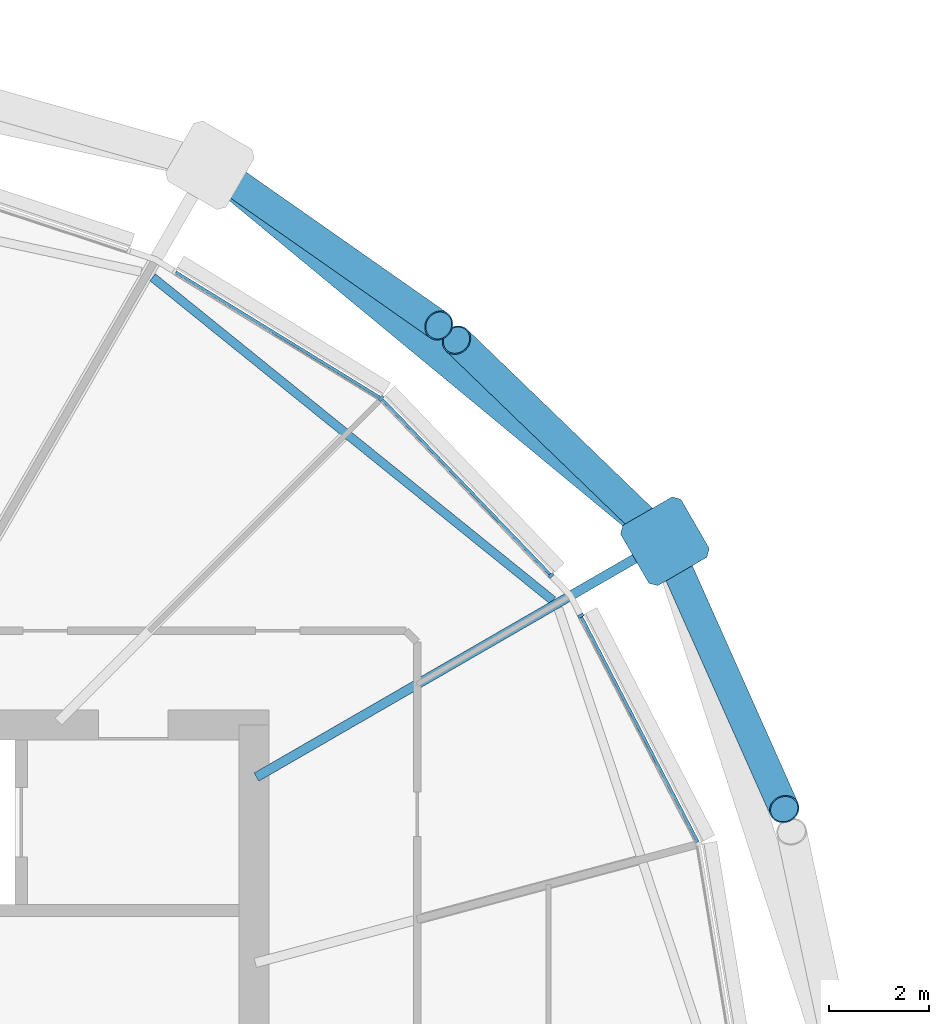
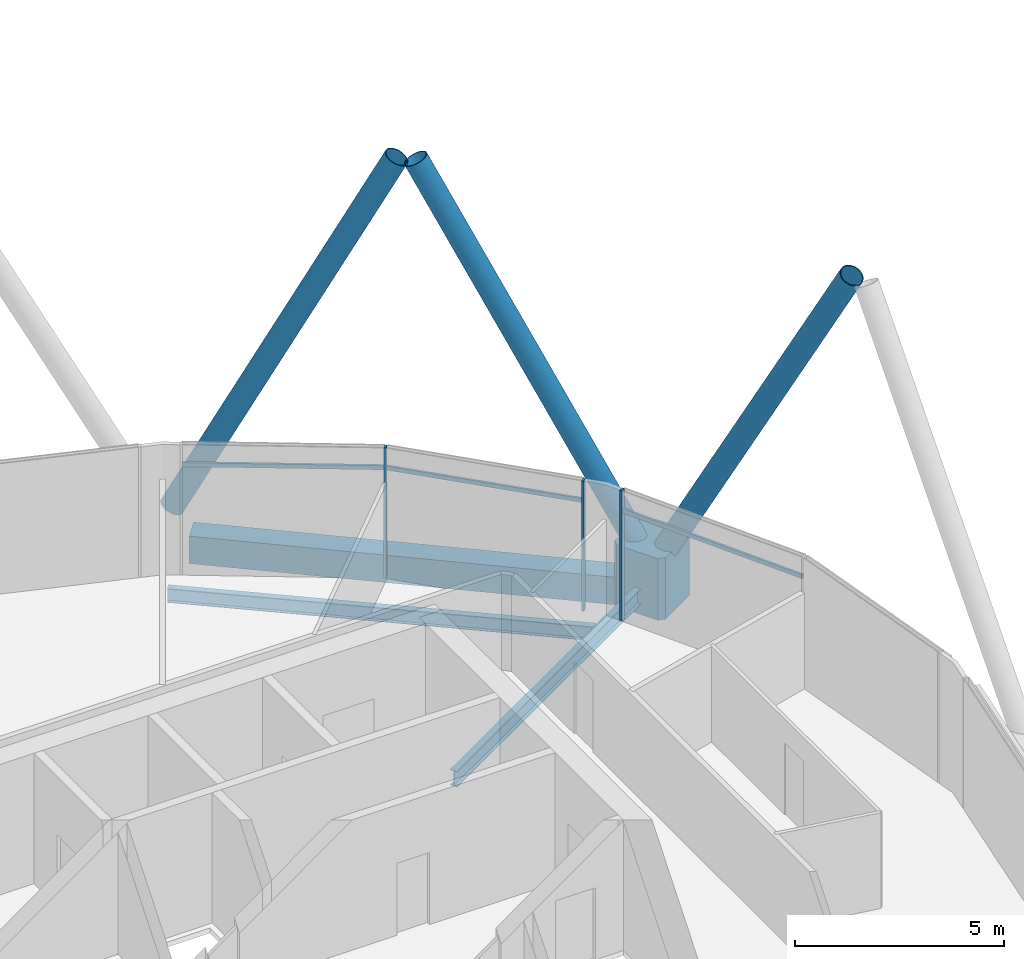
# One storey, part 12 of 35: 10 members, 3 beams, 1 element without a shape of its own.
"""IFC4 building model written with IfcOpenShell, lengths in metres."""

from ifc_helpers import new_model, si_unit, direction, frame, origin, origin_2d, place, context, subcontext, project, spatial, polyline, rectangle, hollow_rectangle, hollow_circle, i_section, outline, extrude, material, material_profile, profile_set, type_object, element, aggregate, save


model = new_model("IFC4")

# Units and contexts
model_context = context("Model", 3, precision=1e-05, world=origin(), true_north=direction((0.0, 1.0)))
body_context = subcontext(model_context, "Body", "Model", "MODEL_VIEW")
ifc_project = project(units=[si_unit("LENGTHUNIT", "METRE"), si_unit("AREAUNIT", "SQUARE_METRE"), si_unit("VOLUMEUNIT", "CUBIC_METRE"), si_unit("PLANEANGLEUNIT", "RADIAN"), si_unit("MASSUNIT", "GRAM", prefix="KILO")], contexts=[model_context])

# Site, building, storey
site_placement = place(None, origin())
site = spatial("IfcSite", under=ifc_project, at=site_placement, CompositionType="ELEMENT")
building_placement = place(site_placement, origin())
building = spatial("IfcBuilding", under=site, at=building_placement, Name="Rimbun Link Towers", CompositionType="ELEMENT")
storey_placement = place(building_placement, frame((0.0, 0.0, 181.699951171875)))
storey = spatial("IfcBuildingStorey", under=building, at=storey_placement, Name="L44", CompositionType="ELEMENT", Elevation=181.699951171875)

# Curtain wall, members
ifc_material_1 = material(Name="Aluminium 6063-T6 and low-iron glass", Category="aluminium")
curtain_wall_type = type_object("IfcCurtainWallType", Name="CW1-Z3 unitised vision wall (zone 3)", PredefinedType="NOTDEFINED", material=ifc_material_1)
curtain_wall_placement = place(storey_placement, origin())
curtain_wall = element("IfcCurtainWall", 1, at=curtain_wall_placement, inside=storey, type_object=curtain_wall_type, Name="CW1 L44 T1", PredefinedType="NOTDEFINED")
ifc_material_2 = material(Name="Aluminium 6063-T6", Category="aluminium")
ifc_material_profile_1 = material_profile(ifc_material_2, rectangle(XDim=0.1201171875, YDim=0.06005859375, at=origin_2d()), Name="MULLION 60X120")
ifc_profile_set_1 = profile_set([ifc_material_profile_1], Name="Aluminium 6063-T6")
member_type_1 = type_object("IfcMemberType", Name="CW1 mullion 60X120", PredefinedType="MULLION", material=ifc_profile_set_1)
member_1_placement = place(storey_placement, frame((-13.182861328125, 10.197509765625, 0.0), z_axis=(0.0, 0.0, 1.0), x_axis=(0.88814980284, 0.459554053094, 0.0)))
member_1 = element("IfcMember", 2, at=member_1_placement, type_object=member_type_1, Name="CW1 mullion", PredefinedType="MULLION", context=body_context, shape_type="SweptSolid", body=[
    extrude(rectangle(XDim=0.1201171875, YDim=0.06005859375, at=origin_2d()), origin(), (0.0, 0.0, 1.0), 3.800048828125),
])
member_2_placement = place(storey_placement, frame((-17.192626953125, 14.56640625, 0.0), z_axis=(0.0, 0.0, 1.0), x_axis=(0.627666301152, 0.778482507445, 0.0)))
member_2 = element("IfcMember", 3, at=member_2_placement, type_object=member_type_1, Name="CW1 mullion", PredefinedType="MULLION", context=body_context, shape_type="SweptSolid", body=[
    extrude(rectangle(XDim=0.1201171875, YDim=0.06005859375, at=origin_2d()), origin(), (0.0, 0.0, 1.0), 3.800048828125),
])
member_3_placement = place(storey_placement, frame((-13.7802734375, 11.008056640625, 0.0), z_axis=(0.0, 0.0, 1.0), x_axis=(0.721842893583, 0.692056960795, 0.0)))
member_3 = element("IfcMember", 4, at=member_3_placement, type_object=member_type_1, Name="CW1 mullion", PredefinedType="MULLION", context=body_context, shape_type="SweptSolid", body=[
    extrude(rectangle(XDim=0.1201171875, YDim=0.06005859375, at=origin_2d()), origin(), (0.0, 0.0, 1.0), 3.800048828125),
])
ifc_material_3 = material(Name="Aluminium 6063-T6", Category="aluminium")
ifc_material_profile_2 = material_profile(ifc_material_3, rectangle(XDim=0.06005859375, YDim=0.1201171875, at=origin_2d()), Name="TRANSOM 60X120")
ifc_profile_set_2 = profile_set([ifc_material_profile_2], Name="Aluminium 6063-T6")
member_type_2 = type_object("IfcMemberType", Name="CW1 transom 60X120", PredefinedType="USERDEFINED", material=ifc_profile_set_2)
member_4_placement = place(storey_placement, frame((-13.1708984375, 10.169921875, 3.199951171875), z_axis=(0.45954293457, -0.888155555794, 0.0), x_axis=(0.888155555794, 0.45954293457, 0.0)))
member_4 = element("IfcMember", 5, at=member_4_placement, type_object=member_type_2, Name="CW1 transom", ObjectType="TRANSOM", PredefinedType="USERDEFINED", context=body_context, shape_type="SweptSolid", body=[
    extrude(rectangle(XDim=0.06005859375, YDim=0.1201171875, at=origin_2d()), origin(), (0.0, 0.0, 1.0), 5.091064453125),
])
member_5_placement = place(storey_placement, frame((-17.16748046875, 14.538330078125, 3.199951171875), z_axis=(0.692037304928, -0.721861737862, 0.0), x_axis=(0.721861737862, 0.692037304928, 0.0)))
member_5 = element("IfcMember", 6, at=member_5_placement, type_object=member_type_2, Name="CW1 transom", ObjectType="TRANSOM", PredefinedType="USERDEFINED", context=body_context, shape_type="SweptSolid", body=[
    extrude(rectangle(XDim=0.06005859375, YDim=0.1201171875, at=origin_2d()), origin(), (0.0, 0.0, 1.0), 4.862548828125),
])
member_6_placement = place(storey_placement, frame((-21.321533203125, 17.099853515625, 3.199951171875), z_axis=(0.85220023098, -0.523215793261, 0.0), x_axis=(0.523215793261, 0.85220023098, 0.0)))
member_6 = element("IfcMember", 7, at=member_6_placement, type_object=member_type_2, Name="CW1 transom", ObjectType="TRANSOM", PredefinedType="USERDEFINED", context=body_context, shape_type="SweptSolid", body=[
    extrude(rectangle(XDim=0.06005859375, YDim=0.1201171875, at=origin_2d()), origin(), (0.0, 0.0, 1.0), 4.806640625),
])
aggregate(curtain_wall, [member_1, member_2, member_3, member_4, member_5, member_6])

# Members
ifc_material_4 = material(Name="Steel S355J2H", Category="steel")
ifc_material_profile_3 = material_profile(ifc_material_4, hollow_circle(Radius=0.3046875, WallThickness=0.02490234375, at=origin_2d()), Name="Diagrid diagonal CHS 610x25")
ifc_profile_set_3 = profile_set([ifc_material_profile_3], Name="Steel S355J2H")
member_type_3 = type_object("IfcMemberType", Name="Diagrid diagonal CHS 610x25", PredefinedType="BRACE", material=ifc_profile_set_3)
member_7_placement = place(storey_placement, frame((-11.39794921875, 11.478271484375, 0.4404296875), z_axis=(0.192724586343, -0.432546907829, 0.880772618981), x_axis=(0.91343376835, 0.406987408696, 0.0)))
element("IfcMember", 8, at=member_7_placement, inside=storey, type_object=member_type_3, Name="Diagrid diagonal T1 L44-L47 02a", PredefinedType="BRACE", context=body_context, shape_type="SweptSolid", body=[
    extrude(hollow_circle(Radius=0.3046875, WallThickness=0.02490234375, at=origin_2d()), origin(), (0.0, 0.0, 1.0), 11.943359375),
])
member_8_placement = place(storey_placement, frame((-11.6630859375, 11.857421875, 0.441650390625), z_axis=(-0.337487022674, 0.325739251336, 0.883174076649), x_axis=(-0.694472813662, -0.719518944215, 0.0)))
element("IfcMember", 9, at=member_8_placement, inside=storey, type_object=member_type_3, Name="Diagrid diagonal T1 L44-L47 02b", PredefinedType="BRACE", context=body_context, shape_type="SweptSolid", body=[
    extrude(hollow_circle(Radius=0.3046875, WallThickness=0.02490234375, at=origin_2d()), origin(), (0.0, 0.0, 1.0), 11.907958984375),
])
member_9_placement = place(storey_placement, frame((-20.44921875, 19.119384765625, 0.445068359375), z_axis=(0.373562050298, -0.261596800469, 0.889954217116), x_axis=(0.57361445086, 0.819125424928, 0.0)))
element("IfcMember", 10, at=member_9_placement, inside=storey, type_object=member_type_3, Name="Diagrid diagonal T1 L44-L47 04a", PredefinedType="BRACE", context=body_context, shape_type="SweptSolid", body=[
    extrude(hollow_circle(Radius=0.3046875, WallThickness=0.02490234375, at=origin_2d()), origin(), (0.0, 0.0, 1.0), 11.8095703125),
])
ifc_material_5 = material(Name="Cast steel G20Mn5+QT, Rp0.2 300 MPa", Category="steel")
ifc_material_profile_4 = material_profile(ifc_material_5, outline(polyline([(0.699951171875, -0.570068359375), (0.699951171875, 0.570068359375), (0.570068359375, 0.699951171875), (-0.570068359375, 0.699951171875), (-0.699951171875, 0.570068359375), (-0.699951171875, -0.570068359375), (-0.570068359375, -0.699951171875), (0.570068359375, -0.699951171875), (0.699951171875, -0.570068359375)])), Name="NODE 1400x1400")
ifc_profile_set_4 = profile_set([ifc_material_profile_4], Name="Cast steel G20Mn5+QT, Rp0.2 300 MPa")
member_type_4 = type_object("IfcMemberType", Name="Diagrid node cast 1400", PredefinedType="USERDEFINED", material=ifc_profile_set_4)
member_10_placement = place(storey_placement, frame((-11.494384765625, 11.694580078125, -0.89990234375), z_axis=(0.0, 0.0, 1.0), x_axis=(0.866025403784, 0.5, 0.0)))
element("IfcMember", 11, at=member_10_placement, inside=storey, type_object=member_type_4, Name="Diagrid node L44 02", ObjectType="Diagrid node", PredefinedType="USERDEFINED", context=body_context, shape_type="SweptSolid", body=[
    extrude(outline(polyline([(0.699951171875, -0.570068359375), (0.699951171875, 0.570068359375), (0.570068359375, 0.699951171875), (-0.570068359375, 0.699951171875), (-0.699951171875, 0.570068359375), (-0.699951171875, -0.570068359375), (-0.570068359375, -0.699951171875), (0.570068359375, -0.699951171875), (0.699951171875, -0.570068359375)])), origin(), (0.0, 0.0, 1.0), 1.800048828125),
])

# Beams
ifc_material_6 = material(Name="Steel S355J2", Category="steel")
ifc_material_profile_5 = material_profile(ifc_material_6, hollow_rectangle(XDim=0.60009765625, YDim=0.800048828125, WallThickness=0.0400390625, at=origin_2d()), Name="Exoskeleton ring girder BOX 600x800x40")
ifc_profile_set_5 = profile_set([ifc_material_profile_5], Name="Steel S355J2")
beam_type_1 = type_object("IfcBeamType", Name="Exoskeleton ring girder BOX 600x800x40", PredefinedType="BEAM", material=ifc_profile_set_5)
beam_1_placement = place(storey_placement, frame((-12.033935546875, 12.140625, -0.56005859375), z_axis=(-0.770799780036, 0.637077467108, 0.0), x_axis=(-0.637077467108, -0.770799780036, 0.0)))
element("IfcBeam", 12, at=beam_1_placement, inside=storey, type_object=beam_type_1, Name="Exoskeleton ring girder L44 01", PredefinedType="BEAM", context=body_context, shape_type="SweptSolid", body=[
    extrude(hollow_rectangle(XDim=0.60009765625, YDim=0.800048828125, WallThickness=0.0400390625, at=origin_2d()), origin(), (0.0, 0.0, 1.0), 10.459716796875),
])
ifc_material_7 = material(Name="Steel S355J2", Category="steel")
ifc_material_profile_6 = material_profile(ifc_material_7, i_section(OverallWidth=0.177978515625, OverallDepth=0.406494140625, WebThickness=0.0078125, FlangeThickness=0.0126953125, at=origin_2d()), Name="UB 406x178x60")
ifc_profile_set_6 = profile_set([ifc_material_profile_6], Name="Steel S355J2")
beam_type_2 = type_object("IfcBeamType", Name="UB 406x178x60", PredefinedType="BEAM", material=ifc_profile_set_6)
beam_2_placement = place(storey_placement, frame((-13.745849609375, 10.50537109375, -0.353271484375), z_axis=(-0.778014886906, 0.628245840219, 0.0), x_axis=(-0.628245840219, -0.778014886906, 0.0)))
element("IfcBeam", 13, at=beam_2_placement, inside=storey, type_object=beam_type_2, Name="Edge beam T1 L44 02-04", PredefinedType="BEAM", context=body_context, shape_type="SweptSolid", body=[
    extrude(i_section(OverallWidth=0.177978515625, OverallDepth=0.406494140625, WebThickness=0.0078125, FlangeThickness=0.0126953125, at=origin_2d()), origin(), (0.0, 0.0, 1.0), 10.336669921875),
])
ifc_material_8 = material(Name="Steel S355J2", Category="steel")
ifc_material_profile_7 = material_profile(ifc_material_8, i_section(OverallWidth=0.18994140625, OverallDepth=0.453369140625, WebThickness=0.008544921875, FlangeThickness=0.0126953125, at=origin_2d()), Name="UB 457x191x67")
ifc_profile_set_7 = profile_set([ifc_material_profile_7], Name="Steel S355J2")
beam_type_3 = type_object("IfcBeamType", Name="UB 457x191x67", PredefinedType="BEAM", material=ifc_profile_set_7)
beam_3_placement = place(storey_placement, frame((-19.70166015625, 6.9560546875, -0.376708984375), z_axis=(0.866020276526, 0.500008880568, 0.0), x_axis=(-0.500008880568, 0.866020276526, 0.0)))
element("IfcBeam", 14, at=beam_3_placement, inside=storey, type_object=beam_type_3, Name="Radial beam T1 L44 02", PredefinedType="BEAM", context=body_context, shape_type="SweptSolid", body=[
    extrude(i_section(OverallWidth=0.18994140625, OverallDepth=0.453369140625, WebThickness=0.008544921875, FlangeThickness=0.0126953125, at=origin_2d()), origin(), (0.0, 0.0, 1.0), 8.976806640625),
])

save(model, "model.ifc")
